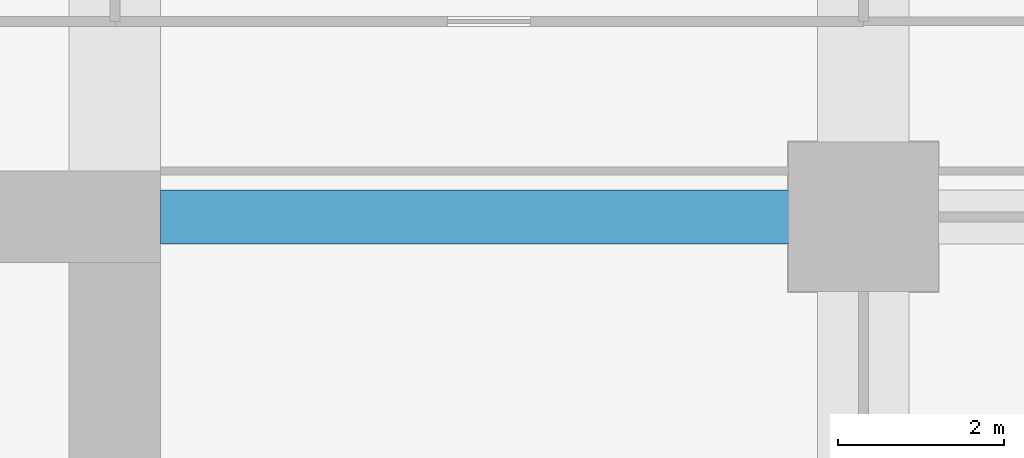
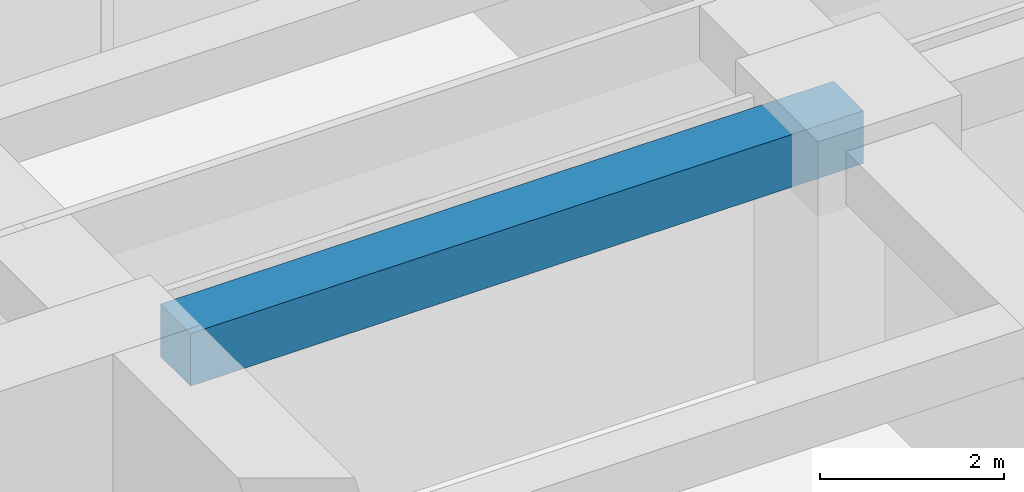
# One storey, part 31 of 41: 1 beam.
"""IFC4 building model written with IfcOpenShell, lengths in metres."""

from ifc_helpers import new_model, si_unit, direction, frame, origin, origin_2d, place, context, subcontext, project, spatial, rectangle, extrude, material, material_profile, profile_set, type_object, element, save


model = new_model("IFC4")

# Units and contexts
model_context = context("Model", 3, precision=1e-05, world=origin(), true_north=direction((0.0, 1.0)))
body_context = subcontext(model_context, "Body", "Model", "MODEL_VIEW")
ifc_project = project(units=[si_unit("LENGTHUNIT", "METRE"), si_unit("AREAUNIT", "SQUARE_METRE"), si_unit("VOLUMEUNIT", "CUBIC_METRE"), si_unit("PLANEANGLEUNIT", "RADIAN"), si_unit("MASSUNIT", "GRAM", prefix="KILO")], contexts=[model_context])

# Site, building, storey
site_placement = place(None, origin())
site = spatial("IfcSite", under=ifc_project, at=site_placement, CompositionType="ELEMENT")
building_placement = place(site_placement, origin())
building = spatial("IfcBuilding", under=site, at=building_placement, Name="Zorevar Civic Tower", CompositionType="ELEMENT")
storey_placement = place(building_placement, frame((0.0, 0.0, 137.0)))
storey = spatial("IfcBuildingStorey", under=building, at=storey_placement, Name="L33", CompositionType="ELEMENT", Elevation=137.0)

# Beam
ifc_material = material(Name="Concrete C50/60", Category="concrete")
ifc_material_profile = material_profile(ifc_material, rectangle(XDim=0.64990234375, YDim=0.699951171875, at=origin_2d()), Name="RC 650x700")
ifc_profile_set = profile_set([ifc_material_profile], Name="Concrete C50/60")
beam_type = type_object("IfcBeamType", Name="Beam RC 650x700", PredefinedType="BEAM", material=ifc_profile_set)
beam_placement = place(storey_placement, frame((45.550048828125, 36.0, 3.39990234375), z_axis=(1.0, 0.0, 0.0), x_axis=(0.0, 1.0, 0.0)))
element("IfcBeam", 1, at=beam_placement, inside=storey, type_object=beam_type, Name="Girder L34", PredefinedType="BEAM", context=body_context, shape_type="SweptSolid", body=[
    extrude(rectangle(XDim=0.64990234375, YDim=0.699951171875, at=origin_2d()), origin(), (0.0, 0.0, 1.0), 8.449951171875),
])

save(model, "model.ifc")
